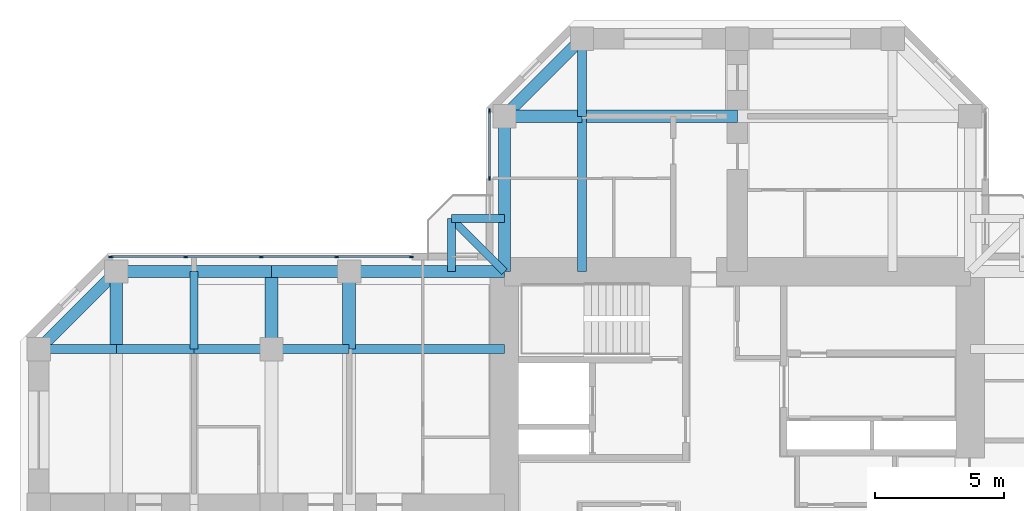
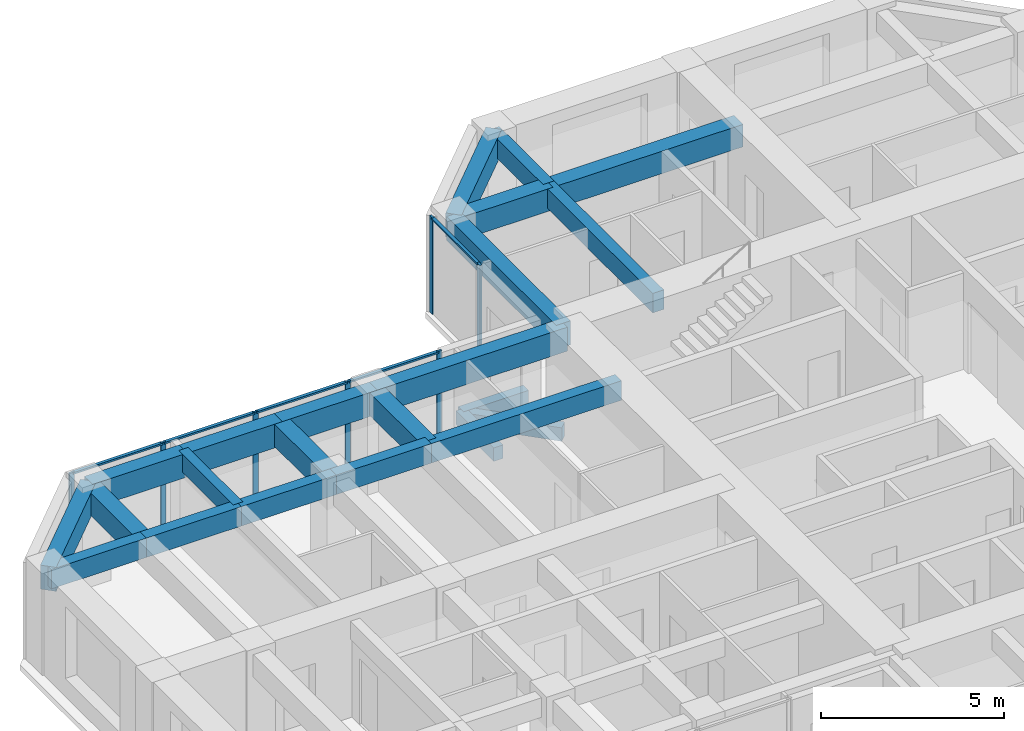
# One storey, part 5 of 14: 23 beams, 12 members, 2 elements without a shape of their own.
"""IFC4 building model written with IfcOpenShell, lengths in metres."""

from ifc_helpers import new_model, si_unit, direction, frame, origin, origin_2d, place, context, subcontext, project, spatial, rectangle, extrude, material, material_profile, profile_set, type_object, element, aggregate, save


model = new_model("IFC4")

# Units and contexts
model_context = context("Model", 3, precision=1e-05, world=origin(), true_north=direction((0.0, 1.0)))
body_context = subcontext(model_context, "Body", "Model", "MODEL_VIEW")
ifc_project = project(units=[si_unit("LENGTHUNIT", "METRE"), si_unit("AREAUNIT", "SQUARE_METRE"), si_unit("VOLUMEUNIT", "CUBIC_METRE"), si_unit("PLANEANGLEUNIT", "RADIAN"), si_unit("MASSUNIT", "GRAM", prefix="KILO")], contexts=[model_context])

# Site, building, storey
site_placement = place(None, origin())
site = spatial("IfcSite", under=ifc_project, at=site_placement, CompositionType="ELEMENT")
building_placement = place(site_placement, origin())
building = spatial("IfcBuilding", under=site, at=building_placement, Name="Torre Cruceta", CompositionType="ELEMENT")
storey_placement = place(building_placement, frame((0.0, 0.0, 179.699951171875)))
storey = spatial("IfcBuildingStorey", under=building, at=storey_placement, Name="L44", CompositionType="ELEMENT", Elevation=179.699951171875)

# Beams
ifc_material_1 = material(Name="Concrete G60 (fck 60 MPa)", Category="concrete")
ifc_material_profile_1 = material_profile(ifc_material_1, rectangle(XDim=0.300048828125, YDim=0.449951171875, at=origin_2d()), Name="RC 300X450")
ifc_profile_set_1 = profile_set([ifc_material_profile_1], Name="Concrete G60 (fck 60 MPa)")
beam_type_1 = type_object("IfcBeamType", Name="BALCONY CANTILEVER BEAM RC 300X450", PredefinedType="BEAM", material=ifc_profile_set_1)
beam_1_placement = place(storey_placement, frame((-9.0, 9.0, -0.405029296875), z_axis=(-0.707106781187, 0.707106781187, 0.0), x_axis=(-0.707106781187, -0.707106781187, 0.0)))
element("IfcBeam", 1, at=beam_1_placement, inside=storey, type_object=beam_type_1, Name="BB1 balcony beam L44 N", PredefinedType="BEAM", context=body_context, shape_type="SweptSolid", body=[
    extrude(rectangle(XDim=0.300048828125, YDim=0.449951171875, at=origin_2d()), origin(), (0.0, 0.0, 1.0), 2.89990234375),
])
for number, where, z_axis, x_axis, name in (
    (2, (-11.050537109375, 9.0, -0.405029296875), (0.0, 1.0, 0.0), (-1.0, 0.0, 0.0), "BB1 balcony edge beam L44 N-X"),
    (3, (-9.0, 11.050537109375, -0.405029296875), (-1.0, 0.0, 0.0), (0.0, -1.0, 0.0), "BB1 balcony edge beam L44 N-Y"),
):
    element("IfcBeam", number, at=place(storey_placement, frame(where, z_axis=z_axis, x_axis=x_axis)), inside=storey, type_object=beam_type_1, Name=name, PredefinedType="BEAM", context=body_context, shape_type="SweptSolid", body=[
        extrude(rectangle(XDim=0.300048828125, YDim=0.449951171875, at=origin_2d()), origin(), (0.0, 0.0, 1.0), 2.050537109375),
    ])
ifc_material_2 = material(Name="Concrete G60 (fck 60 MPa)", Category="concrete")
ifc_material_profile_2 = material_profile(ifc_material_2, rectangle(XDim=0.35009765625, YDim=0.64990234375, at=origin_2d()), Name="RC 350X650")
ifc_profile_set_2 = profile_set([ifc_material_profile_2], Name="Concrete G60 (fck 60 MPa)")
beam_type_2 = type_object("IfcBeamType", Name="COLUMN LINE BEAM RC 350X650", PredefinedType="BEAM", material=ifc_profile_set_2)
beam_2_placement = place(storey_placement, frame((-6.0, 9.0, 2.89501953125), z_axis=(0.0, 1.0, 0.0), x_axis=(-1.0, 0.0, 0.0)))
element("IfcBeam", 4, at=beam_2_placement, inside=storey, type_object=beam_type_2, Name="LB7 L44 N col+ 1", PredefinedType="BEAM", context=body_context, shape_type="SweptSolid", body=[
    extrude(rectangle(XDim=0.35009765625, YDim=0.64990234375, at=origin_2d()), origin(), (0.0, 0.0, 1.0), 6.0),
])
beam_3_placement = place(storey_placement, frame((-6.0, 15.0, 2.89501953125), z_axis=(0.0, 1.0, 0.0), x_axis=(-1.0, 0.0, 0.0)))
element("IfcBeam", 5, at=beam_3_placement, inside=storey, type_object=beam_type_2, Name="LB7 L44 N col+ 2", PredefinedType="BEAM", context=body_context, shape_type="SweptSolid", body=[
    extrude(rectangle(XDim=0.35009765625, YDim=0.64990234375, at=origin_2d()), origin(), (0.0, 0.0, 1.0), 3.0),
])
beam_4_placement = place(storey_placement, frame((-9.0, 6.0, 2.89501953125), z_axis=(-1.0, 0.0, 0.0), x_axis=(0.0, -1.0, 0.0)))
element("IfcBeam", 6, at=beam_4_placement, inside=storey, type_object=beam_type_2, Name="LB7 L44 W col- 1", PredefinedType="BEAM", context=body_context, shape_type="SweptSolid", body=[
    extrude(rectangle(XDim=0.35009765625, YDim=0.64990234375, at=origin_2d()), origin(), (0.0, 0.0, 1.0), 6.0),
])
for number, where, z_axis, x_axis, name in (
    (7, (-15.0, 6.0, 2.89501953125), (-1.0, 0.0, 0.0), (0.0, -1.0, 0.0), "LB7 L44 W col- 2"),
    (8, (-18.0, 6.0, 2.89501953125), (-1.0, 0.0, 0.0), (0.0, -1.0, 0.0), "LB7 L44 W col- 3"),
    (9, (-21.0, 6.0, 2.89501953125), (-1.0, 0.0, 0.0), (0.0, -1.0, 0.0), "LB7 L44 W col- 4"),
    (10, (-24.0, 6.0, 2.89501953125), (-1.0, 0.0, 0.0), (0.0, -1.0, 0.0), "LB7 L44 W col- 5"),
):
    element("IfcBeam", number, at=place(storey_placement, frame(where, z_axis=z_axis, x_axis=x_axis)), inside=storey, type_object=beam_type_2, Name=name, PredefinedType="BEAM", context=body_context, shape_type="SweptSolid", body=[
        extrude(rectangle(XDim=0.35009765625, YDim=0.64990234375, at=origin_2d()), origin(), (0.0, 0.0, 1.0), 3.0),
    ])
ifc_material_3 = material(Name="Concrete G60 (fck 60 MPa)", Category="concrete")
ifc_material_profile_3 = material_profile(ifc_material_3, rectangle(XDim=0.5, YDim=0.75, at=origin_2d()), Name="RC 500X750")
ifc_profile_set_3 = profile_set([ifc_material_profile_3], Name="Concrete G60 (fck 60 MPa)")
beam_type_3 = type_object("IfcBeamType", Name="CROSS BEAM RC 500X750", PredefinedType="BEAM", material=ifc_profile_set_3)
beam_5_placement = place(storey_placement, frame((0.0, 15.0, 2.844970703125), z_axis=(-1.0, 0.0, 0.0), x_axis=(0.0, -1.0, 0.0)))
element("IfcBeam", 11, at=beam_5_placement, inside=storey, type_object=beam_type_3, Name="GB6 L44 N cross15 3", PredefinedType="BEAM", context=body_context, shape_type="SweptSolid", body=[
    extrude(rectangle(XDim=0.5, YDim=0.75, at=origin_2d()), origin(), (0.0, 0.0, 1.0), 6.0),
])
for number, where, z_axis, x_axis, name in (
    (12, (-6.0, 15.0, 2.844970703125), (-1.0, 0.0, 0.0), (0.0, -1.0, 0.0), "GB6 L44 N cross15 4"),
    (13, (-15.0, 9.0, 2.844970703125), (0.0, -1.0, 0.0), (1.0, 0.0, 0.0), "GB6 L44 W cross15 1"),
    (14, (-18.0, 9.0, 2.844970703125), (0.0, -1.0, 0.0), (1.0, 0.0, 0.0), "GB6 L44 W cross18 1"),
    (15, (-24.0, 9.0, 2.844970703125), (0.0, -1.0, 0.0), (1.0, 0.0, 0.0), "GB6 L44 W cross24 1"),
):
    element("IfcBeam", number, at=place(storey_placement, frame(where, z_axis=z_axis, x_axis=x_axis)), inside=storey, type_object=beam_type_3, Name=name, PredefinedType="BEAM", context=body_context, shape_type="SweptSolid", body=[
        extrude(rectangle(XDim=0.5, YDim=0.75, at=origin_2d()), origin(), (0.0, 0.0, 1.0), 3.0),
    ])

# Curtain wall, members
ifc_material_4 = material(Name="Aluminium unitised curtain wall", Category="aluminium")
curtain_wall_type = type_object("IfcCurtainWallType", Name="CURTAIN WALL CW-C CO-LIVING", PredefinedType="USERDEFINED", material=ifc_material_4)
curtain_wall_1_placement = place(storey_placement, origin())
curtain_wall_1 = element("IfcCurtainWall", 16, at=curtain_wall_1_placement, inside=storey, type_object=curtain_wall_type, Name="CW-C L44 N side 09", ObjectType="UNITISED", PredefinedType="USERDEFINED")
ifc_material_5 = material(Name="Aluminium mullion", Category="aluminium")
ifc_material_profile_4 = material_profile(ifc_material_5, rectangle(XDim=0.06005859375, YDim=0.159912109375, at=origin_2d()), Name="AL 60X160")
ifc_profile_set_4 = profile_set([ifc_material_profile_4], Name="Aluminium mullion")
member_type_1 = type_object("IfcMemberType", Name="CW-C MULLION 60X160", PredefinedType="MULLION", material=ifc_profile_set_4)
member_1_placement = place(storey_placement, frame((-9.570068359375, 15.2060546875, 0.0), z_axis=(0.0, 0.0, 1.0), x_axis=(1.0, 0.0, 0.0)))
member_1 = element("IfcMember", 17, at=member_1_placement, type_object=member_type_1, Name="CW-C mullion 1", PredefinedType="MULLION", context=body_context, shape_type="SweptSolid", body=[
    extrude(rectangle(XDim=0.06005859375, YDim=0.159912109375, at=origin_2d()), origin(), (0.0, 0.0, 1.0), 3.219970703125),
])
member_2_placement = place(storey_placement, frame((-9.570068359375, 12.60009765625, 0.0), z_axis=(0.0, 0.0, 1.0), x_axis=(1.0, 0.0, 0.0)))
member_2 = element("IfcMember", 18, at=member_2_placement, type_object=member_type_1, Name="CW-C mullion 2", PredefinedType="MULLION", context=body_context, shape_type="SweptSolid", body=[
    extrude(rectangle(XDim=0.06005859375, YDim=0.159912109375, at=origin_2d()), origin(), (0.0, 0.0, 1.0), 3.219970703125),
])

curtain_wall_2_placement = place(storey_placement, origin())
curtain_wall_2 = element("IfcCurtainWall", 19, at=curtain_wall_2_placement, inside=storey, type_object=curtain_wall_type, Name="CW-C L44 W side 10", ObjectType="UNITISED", PredefinedType="USERDEFINED")
member_3_placement = place(storey_placement, frame((-12.60009765625, 9.570068359375, 0.0), z_axis=(0.0, 0.0, 1.0), x_axis=(0.0, -1.0, 0.0)))
member_3 = element("IfcMember", 20, at=member_3_placement, type_object=member_type_1, Name="CW-C mullion 1", PredefinedType="MULLION", context=body_context, shape_type="SweptSolid", body=[
    extrude(rectangle(XDim=0.06005859375, YDim=0.159912109375, at=origin_2d()), origin(), (0.0, 0.0, 1.0), 3.219970703125),
])
member_4_placement = place(storey_placement, frame((-15.486572265625, 9.570068359375, 0.0), z_axis=(0.0, 0.0, 1.0), x_axis=(0.0, -1.0, 0.0)))
member_4 = element("IfcMember", 21, at=member_4_placement, type_object=member_type_1, Name="CW-C mullion 2", PredefinedType="MULLION", context=body_context, shape_type="SweptSolid", body=[
    extrude(rectangle(XDim=0.06005859375, YDim=0.159912109375, at=origin_2d()), origin(), (0.0, 0.0, 1.0), 3.219970703125),
])
member_5_placement = place(storey_placement, frame((-18.403076171875, 9.570068359375, 0.0), z_axis=(0.0, 0.0, 1.0), x_axis=(0.0, -1.0, 0.0)))
member_5 = element("IfcMember", 22, at=member_5_placement, type_object=member_type_1, Name="CW-C mullion 3", PredefinedType="MULLION", context=body_context, shape_type="SweptSolid", body=[
    extrude(rectangle(XDim=0.06005859375, YDim=0.159912109375, at=origin_2d()), origin(), (0.0, 0.0, 1.0), 3.219970703125),
])
member_6_placement = place(storey_placement, frame((-21.319580078125, 9.570068359375, 0.0), z_axis=(0.0, 0.0, 1.0), x_axis=(0.0, -1.0, 0.0)))
member_6 = element("IfcMember", 23, at=member_6_placement, type_object=member_type_1, Name="CW-C mullion 4", PredefinedType="MULLION", context=body_context, shape_type="SweptSolid", body=[
    extrude(rectangle(XDim=0.06005859375, YDim=0.159912109375, at=origin_2d()), origin(), (0.0, 0.0, 1.0), 3.219970703125),
])
member_7_placement = place(storey_placement, frame((-24.2060546875, 9.570068359375, 0.0), z_axis=(0.0, 0.0, 1.0), x_axis=(0.0, -1.0, 0.0)))
member_7 = element("IfcMember", 24, at=member_7_placement, type_object=member_type_1, Name="CW-C mullion 5", PredefinedType="MULLION", context=body_context, shape_type="SweptSolid", body=[
    extrude(rectangle(XDim=0.06005859375, YDim=0.159912109375, at=origin_2d()), origin(), (0.0, 0.0, 1.0), 3.219970703125),
])

# Member
ifc_material_6 = material(Name="Aluminium transom", Category="aluminium")
ifc_material_profile_5 = material_profile(ifc_material_6, rectangle(XDim=0.10009765625, YDim=0.06005859375, at=origin_2d()), Name="AL 100X60")
ifc_profile_set_5 = profile_set([ifc_material_profile_5], Name="Aluminium transom")
member_type_2 = type_object("IfcMemberType", Name="CW-C TRANSOM 60X100", PredefinedType="USERDEFINED", material=ifc_profile_set_5)
member_8_placement = place(storey_placement, frame((-9.570068359375, 15.176025390625, 3.18994140625), z_axis=(0.0, -1.0, 0.0), x_axis=(1.0, 0.0, 0.0)))
member_8 = element("IfcMember", 25, at=member_8_placement, type_object=member_type_2, Name="CW-C transom 1", ObjectType="TRANSOM", PredefinedType="USERDEFINED", context=body_context, shape_type="SweptSolid", body=[
    extrude(rectangle(XDim=0.10009765625, YDim=0.06005859375, at=origin_2d()), origin(), (0.0, 0.0, 1.0), 2.546142578125),
])

aggregate(curtain_wall_1, [member_1, member_2, member_8])

member_9_placement = place(storey_placement, frame((-12.6298828125, 9.570068359375, 3.18994140625), z_axis=(-1.0, 0.0, 0.0), x_axis=(0.0, -1.0, 0.0)))
member_9 = element("IfcMember", 26, at=member_9_placement, type_object=member_type_2, Name="CW-C transom 1", ObjectType="TRANSOM", PredefinedType="USERDEFINED", context=body_context, shape_type="SweptSolid", body=[
    extrude(rectangle(XDim=0.10009765625, YDim=0.06005859375, at=origin_2d()), origin(), (0.0, 0.0, 1.0), 2.82666015625),
])

member_10_placement = place(storey_placement, frame((-15.5166015625, 9.570068359375, 3.18994140625), z_axis=(-1.0, 0.0, 0.0), x_axis=(0.0, -1.0, 0.0)))
member_10 = element("IfcMember", 27, at=member_10_placement, type_object=member_type_2, Name="CW-C transom 2", ObjectType="TRANSOM", PredefinedType="USERDEFINED", context=body_context, shape_type="SweptSolid", body=[
    extrude(rectangle(XDim=0.10009765625, YDim=0.06005859375, at=origin_2d()), origin(), (0.0, 0.0, 1.0), 2.8564453125),
])

member_11_placement = place(storey_placement, frame((-18.43310546875, 9.570068359375, 3.18994140625), z_axis=(-1.0, 0.0, 0.0), x_axis=(0.0, -1.0, 0.0)))
member_11 = element("IfcMember", 28, at=member_11_placement, type_object=member_type_2, Name="CW-C transom 3", ObjectType="TRANSOM", PredefinedType="USERDEFINED", context=body_context, shape_type="SweptSolid", body=[
    extrude(rectangle(XDim=0.10009765625, YDim=0.06005859375, at=origin_2d()), origin(), (0.0, 0.0, 1.0), 2.8564453125),
])

member_12_placement = place(storey_placement, frame((-21.349609375, 9.570068359375, 3.18994140625), z_axis=(-1.0, 0.0, 0.0), x_axis=(0.0, -1.0, 0.0)))
member_12 = element("IfcMember", 29, at=member_12_placement, type_object=member_type_2, Name="CW-C transom 4", ObjectType="TRANSOM", PredefinedType="USERDEFINED", context=body_context, shape_type="SweptSolid", body=[
    extrude(rectangle(XDim=0.10009765625, YDim=0.06005859375, at=origin_2d()), origin(), (0.0, 0.0, 1.0), 2.826416015625),
])

aggregate(curtain_wall_2, [member_3, member_4, member_5, member_6, member_7, member_9, member_10, member_11, member_12])

# Beams
ifc_material_7 = material(Name="Concrete G60 (fck 60 MPa)", Category="concrete")
ifc_material_profile_6 = material_profile(ifc_material_7, rectangle(XDim=0.300048828125, YDim=0.60009765625, at=origin_2d()), Name="RC 300X600")
ifc_profile_set_6 = profile_set([ifc_material_profile_6], Name="Concrete G60 (fck 60 MPa)")
beam_type_4 = type_object("IfcBeamType", Name="SECONDARY BEAM RC 300X600", PredefinedType="JOIST", material=ifc_profile_set_6)
beam_6_placement = place(storey_placement, frame((-21.0, 9.0, 2.920166015625), z_axis=(0.0, -1.0, 0.0), x_axis=(1.0, 0.0, 0.0)))
element("IfcBeam", 30, at=beam_6_placement, inside=storey, type_object=beam_type_4, Name="JB6 L44 W sec21 1", PredefinedType="JOIST", context=body_context, shape_type="SweptSolid", body=[
    extrude(rectangle(XDim=0.300048828125, YDim=0.60009765625, at=origin_2d()), origin(), (0.0, 0.0, 1.0), 3.0),
])
ifc_material_8 = material(Name="Concrete G60 (fck 60 MPa)", Category="concrete")
ifc_material_profile_7 = material_profile(ifc_material_8, rectangle(XDim=0.449951171875, YDim=0.800048828125, at=origin_2d()), Name="RC 450X800")
ifc_profile_set_7 = profile_set([ifc_material_profile_7], Name="Concrete G60 (fck 60 MPa)")
beam_type_5 = type_object("IfcBeamType", Name="SPANDREL BEAM RC 450X800", PredefinedType="SPANDREL", material=ifc_profile_set_7)
beam_7_placement = place(storey_placement, frame((-9.0, 9.0, 2.820068359375), z_axis=(0.0, 1.0, 0.0), x_axis=(-1.0, 0.0, 0.0)))
element("IfcBeam", 31, at=beam_7_placement, inside=storey, type_object=beam_type_5, Name="SB6 L44 N side+ 1", PredefinedType="SPANDREL", context=body_context, shape_type="SweptSolid", body=[
    extrude(rectangle(XDim=0.449951171875, YDim=0.800048828125, at=origin_2d()), origin(), (0.0, 0.0, 1.0), 6.0),
])
beam_8_placement = place(storey_placement, frame((-9.0, 15.0, 2.820068359375), z_axis=(0.707106781187, 0.707106781187, 0.0), x_axis=(-0.707106781187, 0.707106781187, 0.0)))
element("IfcBeam", 32, at=beam_8_placement, inside=storey, type_object=beam_type_5, Name="SB6 L44 N side+ 2", PredefinedType="SPANDREL", context=body_context, shape_type="SweptSolid", body=[
    extrude(rectangle(XDim=0.449951171875, YDim=0.800048828125, at=origin_2d()), origin(), (0.0, 0.0, 1.0), 4.24267578125),
])
beam_9_placement = place(storey_placement, frame((-9.0, 9.0, 2.820068359375), z_axis=(-1.0, 0.0, 0.0), x_axis=(0.0, -1.0, 0.0)))
element("IfcBeam", 33, at=beam_9_placement, inside=storey, type_object=beam_type_5, Name="SB6 L44 W side- 1", PredefinedType="SPANDREL", context=body_context, shape_type="SweptSolid", body=[
    extrude(rectangle(XDim=0.449951171875, YDim=0.800048828125, at=origin_2d()), origin(), (0.0, 0.0, 1.0), 6.0),
])
for number, where, z_axis, x_axis, name in (
    (34, (-15.0, 9.0, 2.820068359375), (-1.0, 0.0, 0.0), (0.0, -1.0, 0.0), "SB6 L44 W side- 2"),
    (35, (-18.0, 9.0, 2.820068359375), (-1.0, 0.0, 0.0), (0.0, -1.0, 0.0), "SB6 L44 W side- 3"),
    (36, (-21.0, 9.0, 2.820068359375), (-1.0, 0.0, 0.0), (0.0, -1.0, 0.0), "SB6 L44 W side- 4"),
):
    element("IfcBeam", number, at=place(storey_placement, frame(where, z_axis=z_axis, x_axis=x_axis)), inside=storey, type_object=beam_type_5, Name=name, PredefinedType="SPANDREL", context=body_context, shape_type="SweptSolid", body=[
        extrude(rectangle(XDim=0.449951171875, YDim=0.800048828125, at=origin_2d()), origin(), (0.0, 0.0, 1.0), 3.0),
    ])
beam_10_placement = place(storey_placement, frame((-24.0, 9.0, 2.820068359375), z_axis=(-0.707106781187, -0.707106781187, 0.0), x_axis=(0.707106781187, -0.707106781187, 0.0)))
element("IfcBeam", 37, at=beam_10_placement, inside=storey, type_object=beam_type_5, Name="SB6 L44 W side- 5", PredefinedType="SPANDREL", context=body_context, shape_type="SweptSolid", body=[
    extrude(rectangle(XDim=0.449951171875, YDim=0.800048828125, at=origin_2d()), origin(), (0.0, 0.0, 1.0), 4.24267578125),
])

save(model, "model.ifc")
